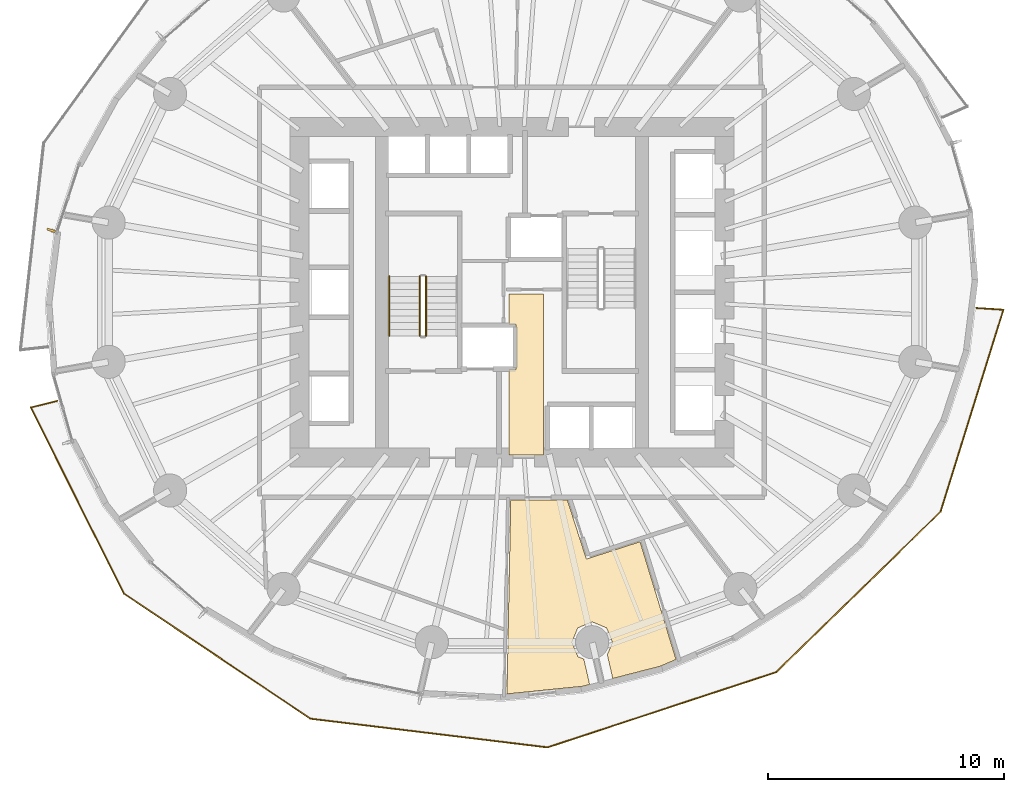
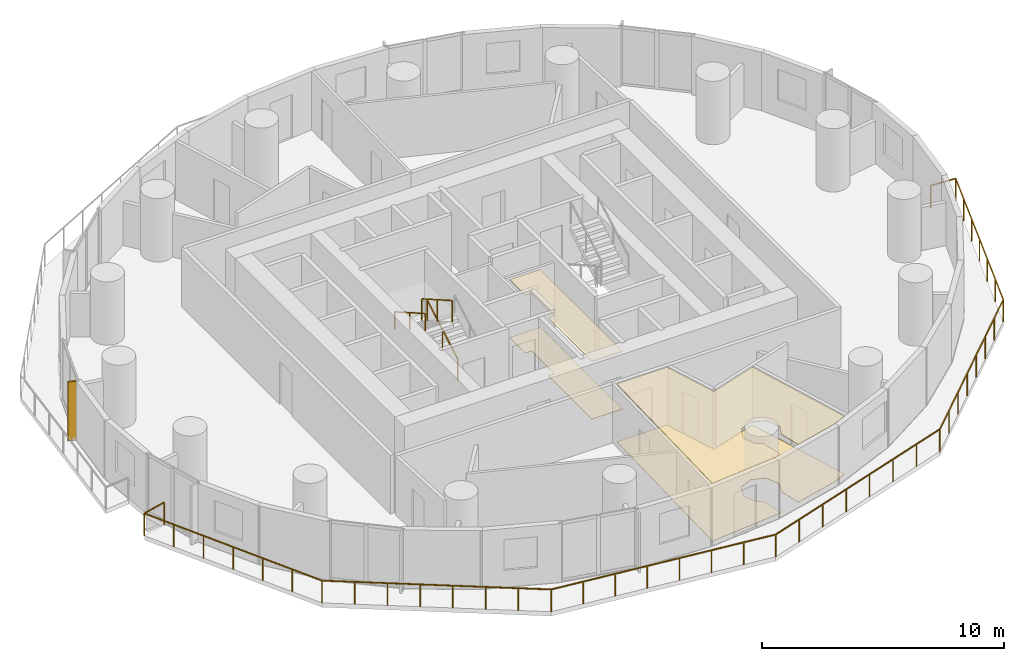
# One storey, part 12 of 14: 4 coverings, 4 railings, 1 shading device.
"""IFC4 building model written with IfcOpenShell, lengths in metres."""

from ifc_helpers import new_model, si_unit, direction, frame, origin, origin_2d, place, context, subcontext, project, spatial, polyline, rectangle, outline, extrude, material, layer, layer_set, type_object, element, save


model = new_model("IFC4")

# Units and contexts
model_context = context("Model", 3, precision=1e-05, world=origin(), true_north=direction((0.0, 1.0)))
body_context = subcontext(model_context, "Body", "Model", "MODEL_VIEW")
ifc_project = project(units=[si_unit("LENGTHUNIT", "METRE"), si_unit("AREAUNIT", "SQUARE_METRE"), si_unit("VOLUMEUNIT", "CUBIC_METRE"), si_unit("PLANEANGLEUNIT", "RADIAN"), si_unit("MASSUNIT", "GRAM", prefix="KILO")], contexts=[model_context])

# Site, building, storey
site_placement = place(None, origin())
site = spatial("IfcSite", under=ifc_project, at=site_placement, CompositionType="ELEMENT")
building_placement = place(site_placement, origin())
building = spatial("IfcBuilding", under=site, at=building_placement, Name="Veldorim Arch Residences", CompositionType="ELEMENT")
storey_placement = place(building_placement, frame((0.0, 0.0, 50.39990234375)))
storey = spatial("IfcBuildingStorey", under=building, at=storey_placement, Name="L14", CompositionType="ELEMENT", Elevation=50.39990234375)

# Railings
ifc_material_1 = material(Name="Aluminium", Category="aluminium")
railing_type_1 = type_object("IfcRailingType", Name="Balcony & Terrace Laminated Glass Balustrade 1150", PredefinedType="BALUSTRADE", material=ifc_material_1)
railing_1_placement = place(storey_placement, frame((12.75244140625, 19.40283203125, 0.0)))
element("IfcRailing", 1, at=railing_1_placement, inside=storey, type_object=railing_type_1, Name="L14 crescent balcony safety balustrade B", PredefinedType="BALUSTRADE", context=body_context, shape_type="SweptSolid", body=[
    extrude(rectangle(XDim=0.048095703125, YDim=0.048095703125, at=origin_2d()), frame((0.0, 0.0, 1.1259765625), z_axis=(-0.970590389113, -0.240736986276, 0.0), x_axis=(0.240736986276, -0.970590389113, 0.0)), (0.0, 0.0, 1.0), 1.150146484375),
    extrude(rectangle(XDim=0.048095703125, YDim=0.048095703125, at=origin_2d()), frame((-1.1162109375, -0.27685546875, 1.1259765625), z_axis=(0.447446279024, -0.8943108114, 0.0), x_axis=(0.8943108114, 0.447446279024, 0.0)), (0.0, 0.0, 1.0), 8.81298828125),
    extrude(rectangle(XDim=0.048095703125, YDim=0.048095703125, at=origin_2d()), frame((2.8271484375, -8.158447265625, 1.1259765625), z_axis=(0.830513368113, -0.556998694241, 0.0), x_axis=(0.556998694241, 0.830513368113, 0.0)), (0.0, 0.0, 1.0), 9.501708984375),
    extrude(rectangle(XDim=0.048095703125, YDim=0.048095703125, at=origin_2d()), frame((10.718505859375, -13.450927734375, 1.1259765625), z_axis=(0.992755717696, -0.120150260017, 0.0), x_axis=(0.120150260017, 0.992755717696, 0.0)), (0.0, 0.0, 1.0), 10.10498046875),
    extrude(rectangle(XDim=0.048095703125, YDim=0.048095703125, at=origin_2d()), frame((20.750244140625, -14.6650390625, 1.1259765625), z_axis=(0.949913820233, 0.31251197438, 0.0), x_axis=(-0.31251197438, 0.949913820233, 0.0)), (0.0, 0.0, 1.0), 10.197265625),
    extrude(rectangle(XDim=0.048095703125, YDim=0.048095703125, at=origin_2d()), frame((30.436767578125, -11.478271484375, 1.1259765625), z_axis=(0.715419152021, 0.69869552519, 0.0), x_axis=(-0.69869552519, 0.715419152021, 0.0)), (0.0, 0.0, 1.0), 9.7080078125),
    extrude(rectangle(XDim=0.048095703125, YDim=0.048095703125, at=origin_2d()), frame((37.382080078125, -4.6953125, 1.1259765625), z_axis=(0.297329905313, 0.954774804552, 0.0), x_axis=(-0.954774804552, 0.297329905313, 0.0)), (0.0, 0.0, 1.0), 8.959228515625),
    extrude(rectangle(XDim=0.048095703125, YDim=0.048095703125, at=origin_2d()), frame((40.0458984375, 3.858642578125, 1.1259765625), z_axis=(-0.997929266712, 0.064320903598, 0.0), x_axis=(-0.064320903598, -0.997929266712, 0.0)), (0.0, 0.0, 1.0), 1.150146484375),
    extrude(rectangle(XDim=0.0419921875, YDim=0.0419921875, at=origin_2d()), origin(), (0.0, 0.0, 1.0), 1.101806640625),
    extrude(rectangle(XDim=0.0419921875, YDim=0.0419921875, at=origin_2d()), frame((-1.1162109375, -0.27685546875, 0.0)), (0.0, 0.0, 1.0), 1.101806640625),
    extrude(rectangle(XDim=0.0419921875, YDim=0.0419921875, at=origin_2d()), frame((-0.458984375, -1.59033203125, 0.0)), (0.0, 0.0, 1.0), 1.101806640625),
    extrude(rectangle(XDim=0.0419921875, YDim=0.0419921875, at=origin_2d()), frame((0.1982421875, -2.904052734375, 0.0)), (0.0, 0.0, 1.0), 1.101806640625),
    extrude(rectangle(XDim=0.0419921875, YDim=0.0419921875, at=origin_2d()), frame((0.85546875, -4.2177734375, 0.0)), (0.0, 0.0, 1.0), 1.101806640625),
    extrude(rectangle(XDim=0.0419921875, YDim=0.0419921875, at=origin_2d()), frame((1.5126953125, -5.53125, 0.0)), (0.0, 0.0, 1.0), 1.101806640625),
    extrude(rectangle(XDim=0.0419921875, YDim=0.0419921875, at=origin_2d()), frame((2.169921875, -6.8447265625, 0.0)), (0.0, 0.0, 1.0), 1.101806640625),
    extrude(rectangle(XDim=0.0419921875, YDim=0.0419921875, at=origin_2d()), frame((2.8271484375, -8.158447265625, 0.0)), (0.0, 0.0, 1.0), 1.101806640625),
    extrude(rectangle(XDim=0.0419921875, YDim=0.0419921875, at=origin_2d()), frame((3.95458984375, -8.91455078125, 0.0)), (0.0, 0.0, 1.0), 1.101806640625),
    extrude(rectangle(XDim=0.0419921875, YDim=0.0419921875, at=origin_2d()), frame((5.081787109375, -9.670654296875, 0.0)), (0.0, 0.0, 1.0), 1.101806640625),
    extrude(rectangle(XDim=0.0419921875, YDim=0.0419921875, at=origin_2d()), frame((6.209228515625, -10.4267578125, 0.0)), (0.0, 0.0, 1.0), 1.101806640625),
    extrude(rectangle(XDim=0.0419921875, YDim=0.0419921875, at=origin_2d()), frame((7.33642578125, -11.1826171875, 0.0)), (0.0, 0.0, 1.0), 1.101806640625),
    extrude(rectangle(XDim=0.0419921875, YDim=0.0419921875, at=origin_2d()), frame((8.4638671875, -11.938720703125, 0.0)), (0.0, 0.0, 1.0), 1.101806640625),
    extrude(rectangle(XDim=0.0419921875, YDim=0.0419921875, at=origin_2d()), frame((9.591064453125, -12.69482421875, 0.0)), (0.0, 0.0, 1.0), 1.101806640625),
    extrude(rectangle(XDim=0.0419921875, YDim=0.0419921875, at=origin_2d()), frame((10.718505859375, -13.450927734375, 0.0)), (0.0, 0.0, 1.0), 1.101806640625),
    extrude(rectangle(XDim=0.0419921875, YDim=0.0419921875, at=origin_2d()), frame((12.151611328125, -13.624267578125, 0.0)), (0.0, 0.0, 1.0), 1.101806640625),
    extrude(rectangle(XDim=0.0419921875, YDim=0.0419921875, at=origin_2d()), frame((13.584716796875, -13.7978515625, 0.0)), (0.0, 0.0, 1.0), 1.101806640625),
    extrude(rectangle(XDim=0.0419921875, YDim=0.0419921875, at=origin_2d()), frame((15.017822265625, -13.97119140625, 0.0)), (0.0, 0.0, 1.0), 1.101806640625),
    extrude(rectangle(XDim=0.0419921875, YDim=0.0419921875, at=origin_2d()), frame((16.450927734375, -14.144775390625, 0.0)), (0.0, 0.0, 1.0), 1.101806640625),
    extrude(rectangle(XDim=0.0419921875, YDim=0.0419921875, at=origin_2d()), frame((17.884033203125, -14.318115234375, 0.0)), (0.0, 0.0, 1.0), 1.101806640625),
    extrude(rectangle(XDim=0.0419921875, YDim=0.0419921875, at=origin_2d()), frame((19.317138671875, -14.49169921875, 0.0)), (0.0, 0.0, 1.0), 1.101806640625),
    extrude(rectangle(XDim=0.0419921875, YDim=0.0419921875, at=origin_2d()), frame((20.750244140625, -14.6650390625, 0.0)), (0.0, 0.0, 1.0), 1.101806640625),
    extrude(rectangle(XDim=0.0419921875, YDim=0.0419921875, at=origin_2d()), frame((22.134033203125, -14.209716796875, 0.0)), (0.0, 0.0, 1.0), 1.101806640625),
    extrude(rectangle(XDim=0.0419921875, YDim=0.0419921875, at=origin_2d()), frame((23.517822265625, -13.754638671875, 0.0)), (0.0, 0.0, 1.0), 1.101806640625),
    extrude(rectangle(XDim=0.0419921875, YDim=0.0419921875, at=origin_2d()), frame((24.901611328125, -13.29931640625, 0.0)), (0.0, 0.0, 1.0), 1.101806640625),
    extrude(rectangle(XDim=0.0419921875, YDim=0.0419921875, at=origin_2d()), frame((26.285400390625, -12.843994140625, 0.0)), (0.0, 0.0, 1.0), 1.101806640625),
    extrude(rectangle(XDim=0.0419921875, YDim=0.0419921875, at=origin_2d()), frame((27.669189453125, -12.388671875, 0.0)), (0.0, 0.0, 1.0), 1.101806640625),
    extrude(rectangle(XDim=0.0419921875, YDim=0.0419921875, at=origin_2d()), frame((29.052978515625, -11.93359375, 0.0)), (0.0, 0.0, 1.0), 1.101806640625),
    extrude(rectangle(XDim=0.0419921875, YDim=0.0419921875, at=origin_2d()), frame((30.436767578125, -11.478271484375, 0.0)), (0.0, 0.0, 1.0), 1.101806640625),
    extrude(rectangle(XDim=0.0419921875, YDim=0.0419921875, at=origin_2d()), frame((31.428955078125, -10.50927734375, 0.0)), (0.0, 0.0, 1.0), 1.101806640625),
    extrude(rectangle(XDim=0.0419921875, YDim=0.0419921875, at=origin_2d()), frame((32.421142578125, -9.540283203125, 0.0)), (0.0, 0.0, 1.0), 1.101806640625),
    extrude(rectangle(XDim=0.0419921875, YDim=0.0419921875, at=origin_2d()), frame((33.413330078125, -8.5712890625, 0.0)), (0.0, 0.0, 1.0), 1.101806640625),
    extrude(rectangle(XDim=0.0419921875, YDim=0.0419921875, at=origin_2d()), frame((34.405517578125, -7.602294921875, 0.0)), (0.0, 0.0, 1.0), 1.101806640625),
    extrude(rectangle(XDim=0.0419921875, YDim=0.0419921875, at=origin_2d()), frame((35.397705078125, -6.63330078125, 0.0)), (0.0, 0.0, 1.0), 1.101806640625),
    extrude(rectangle(XDim=0.0419921875, YDim=0.0419921875, at=origin_2d()), frame((36.389892578125, -5.664306640625, 0.0)), (0.0, 0.0, 1.0), 1.101806640625),
    extrude(rectangle(XDim=0.0419921875, YDim=0.0419921875, at=origin_2d()), frame((37.382080078125, -4.6953125, 0.0)), (0.0, 0.0, 1.0), 1.101806640625),
    extrude(rectangle(XDim=0.0419921875, YDim=0.0419921875, at=origin_2d()), frame((37.826171875, -3.26953125, 0.0)), (0.0, 0.0, 1.0), 1.101806640625),
    extrude(rectangle(XDim=0.0419921875, YDim=0.0419921875, at=origin_2d()), frame((38.27001953125, -1.843994140625, 0.0)), (0.0, 0.0, 1.0), 1.101806640625),
    extrude(rectangle(XDim=0.0419921875, YDim=0.0419921875, at=origin_2d()), frame((38.7138671875, -0.41845703125, 0.0)), (0.0, 0.0, 1.0), 1.101806640625),
    extrude(rectangle(XDim=0.0419921875, YDim=0.0419921875, at=origin_2d()), frame((39.157958984375, 1.00732421875, 0.0)), (0.0, 0.0, 1.0), 1.101806640625),
    extrude(rectangle(XDim=0.0419921875, YDim=0.0419921875, at=origin_2d()), frame((39.60205078125, 2.43310546875, 0.0)), (0.0, 0.0, 1.0), 1.101806640625),
    extrude(rectangle(XDim=0.0419921875, YDim=0.0419921875, at=origin_2d()), frame((40.0458984375, 3.858642578125, 0.0)), (0.0, 0.0, 1.0), 1.101806640625),
    extrude(rectangle(XDim=0.0419921875, YDim=0.0419921875, at=origin_2d()), frame((38.898193359375, 3.9326171875, 0.0)), (0.0, 0.0, 1.0), 1.101806640625),
])
ifc_material_2 = material(Name="Steel S355", Category="steel")
railing_type_2 = type_object("IfcRailingType", Name="Galvanised Steel Stair Safety Guardrail 1100", PredefinedType="GUARDRAIL", material=ifc_material_2)
railing_2_placement = place(storey_placement, frame((28.360107421875, 22.14990234375, 0.16015625)))
element("IfcRailing", 2, at=railing_2_placement, inside=storey, type_object=railing_type_2, Name="L14 ST-1 stair guard 1", PredefinedType="GUARDRAIL", context=body_context, shape_type="SweptSolid", body=[
    extrude(rectangle(XDim=0.048095703125, YDim=0.048095703125, at=origin_2d()), frame((0.0, 0.0, 1.076171875), z_axis=(0.0, 0.868253494771, 0.496120820787), x_axis=(-1.0, 0.0, 0.0)), (0.0, 0.0, 1.0), 2.90234375),
    extrude(rectangle(XDim=0.0419921875, YDim=0.0419921875, at=origin_2d()), origin(), (0.0, 0.0, 1.0), 1.052001953125),
    extrude(rectangle(XDim=0.0419921875, YDim=0.0419921875, at=origin_2d()), frame((0.0, 1.260009765625, 0.719970703125)), (0.0, 0.0, 1.0), 1.052001953125),
    extrude(rectangle(XDim=0.0419921875, YDim=0.0419921875, at=origin_2d()), frame((0.0, 2.52001953125, 1.43994140625)), (0.0, 0.0, 1.0), 1.052001953125),
])
railing_3_placement = place(storey_placement, frame((28.10009765625, 24.669921875, 1.760009765625)))
element("IfcRailing", 3, at=railing_3_placement, inside=storey, type_object=railing_type_2, Name="L14 ST-1 stair guard 3", PredefinedType="GUARDRAIL", context=body_context, shape_type="SweptSolid", body=[
    extrude(rectangle(XDim=0.048095703125, YDim=0.048095703125, at=origin_2d()), frame((0.0, 0.0, 1.076171875), z_axis=(0.0, -0.868217259934, 0.496184229447), x_axis=(1.0, 0.0, 0.0)), (0.0, 0.0, 1.0), 2.902587890625),
    extrude(rectangle(XDim=0.0419921875, YDim=0.0419921875, at=origin_2d()), origin(), (0.0, 0.0, 1.0), 1.052001953125),
    extrude(rectangle(XDim=0.0419921875, YDim=0.0419921875, at=origin_2d()), frame((0.0, -1.260009765625, 0.72021484375)), (0.0, 0.0, 1.0), 1.052001953125),
    extrude(rectangle(XDim=0.0419921875, YDim=0.0419921875, at=origin_2d()), frame((0.0, -2.52001953125, 1.440185546875)), (0.0, 0.0, 1.0), 1.052001953125),
])

# Coverings
ifc_material_3 = material(Name="Acoustic Gypsum & Mineral Fibre", Category="gypsum")
ifc_layer_1 = layer(ifc_material_3, 0.034912109375, Name="Perforated Acoustic Mineral-Fibre Ceiling 35")
ifc_layer_set_1 = layer_set([ifc_layer_1], Name="Acoustic Gypsum & Mineral Fibre")
covering_type_1 = type_object("IfcCoveringType", Name="Perforated Acoustic Mineral-Fibre Ceiling 35", PredefinedType="CEILING", material=ifc_layer_set_1)
covering_1_placement = place(storey_placement, frame((0.0, 0.0, 2.905029296875)))
element("IfcCovering", 4, at=covering_1_placement, inside=storey, type_object=covering_type_1, Name="L14 acoustic suspended ceiling 01", PredefinedType="CEILING", context=body_context, shape_type="SweptSolid", body=[
    extrude(outline(polyline([(33.330078125, 23.929931640625), (33.330078125, 17.1201171875), (31.8701171875, 17.1201171875), (31.8701171875, 20.735107421875), (32.169921875, 20.735107421875), (32.169921875, 22.625), (31.8701171875, 22.625), (31.8701171875, 23.929931640625), (33.330078125, 23.929931640625)])), origin(), (0.0, 0.0, 1.0), 0.03515625),
])
covering_2_placement = place(storey_placement, frame((0.0, 0.0, 2.905029296875)))
element("IfcCovering", 5, at=covering_2_placement, inside=storey, type_object=covering_type_1, Name="L14 acoustic suspended ceiling 02", PredefinedType="CEILING", context=body_context, shape_type="SweptSolid", body=[
    extrude(outline(polyline([(36.25439453125, 9.190185546875), (36.002685546875, 9.798095703125), (35.39453125, 10.050048828125), (34.78662109375, 9.798095703125), (34.53466796875, 9.190185546875), (34.78662109375, 8.58203125), (35.039794921875, 8.47705078125), (35.28564453125, 7.40478515625), (34.96484375, 7.322265625), (31.787841796875, 7.003173828125), (31.947998046875, 15.199951171875), (34.34521484375, 15.199951171875), (35.1494140625, 12.709228515625), (37.42041015625, 13.4423828125), (38.942138671875, 8.4609375), (38.265625, 8.17138671875), (36.26416015625, 7.656494140625), (36.034423828125, 8.658935546875), (36.25439453125, 9.190185546875)])), origin(), (0.0, 0.0, 1.0), 0.03515625),
])
ifc_material_4 = material(Name="Porcelain Ceramic Tile", Category="ceramic")
ifc_layer_2 = layer(ifc_material_4, 0.02001953125, Name="Slip-Resistant Porcelain & Vinyl Floor Finish 20")
ifc_layer_set_2 = layer_set([ifc_layer_2], Name="Porcelain Ceramic Tile")
covering_type_2 = type_object("IfcCoveringType", Name="Slip-Resistant Porcelain & Vinyl Floor Finish 20", PredefinedType="FLOORING", material=ifc_layer_set_2)
covering_3_placement = place(storey_placement, origin())
element("IfcCovering", 6, at=covering_3_placement, inside=storey, type_object=covering_type_2, Name="L14 porcelain floor finish 01", PredefinedType="FLOORING", context=body_context, shape_type="SweptSolid", body=[
    extrude(outline(polyline([(33.330078125, 23.929931640625), (33.330078125, 17.1201171875), (31.8701171875, 17.1201171875), (31.8701171875, 20.735107421875), (32.169921875, 20.735107421875), (32.169921875, 22.625), (31.8701171875, 22.625), (31.8701171875, 23.929931640625), (33.330078125, 23.929931640625)])), origin(), (0.0, 0.0, 1.0), 0.02001953125),
])
covering_4_placement = place(storey_placement, origin())
element("IfcCovering", 7, at=covering_4_placement, inside=storey, type_object=covering_type_2, Name="L14 porcelain floor finish 02", PredefinedType="FLOORING", context=body_context, shape_type="SweptSolid", body=[
    extrude(outline(polyline([(36.25439453125, 9.190185546875), (36.002685546875, 9.798095703125), (35.39453125, 10.050048828125), (34.78662109375, 9.798095703125), (34.53466796875, 9.190185546875), (34.78662109375, 8.58203125), (35.039794921875, 8.47705078125), (35.28564453125, 7.40478515625), (34.96484375, 7.322265625), (31.787841796875, 7.003173828125), (31.947998046875, 15.199951171875), (34.34521484375, 15.199951171875), (35.1494140625, 12.709228515625), (37.42041015625, 13.4423828125), (38.942138671875, 8.4609375), (38.265625, 8.17138671875), (36.26416015625, 7.656494140625), (36.034423828125, 8.658935546875), (36.25439453125, 9.190185546875)])), origin(), (0.0, 0.0, 1.0), 0.02001953125),
])

# Railing
ifc_material_5 = material(Name="Stainless Steel", Category="steel")
railing_type_3 = type_object("IfcRailingType", Name="Tubular Steel Continuous Wall Handrail 900", PredefinedType="HANDRAIL", material=ifc_material_5)
railing_4_placement = place(storey_placement, frame((26.800048828125, 24.669921875, 1.760009765625)))
element("IfcRailing", 8, at=railing_4_placement, inside=storey, type_object=railing_type_3, Name="L14 ST-1 stair handrail 2", PredefinedType="HANDRAIL", context=body_context, shape_type="SweptSolid", body=[
    extrude(rectangle(XDim=0.048095703125, YDim=0.048095703125, at=origin_2d()), frame((0.0, 0.0, 0.8759765625), z_axis=(0.0, -0.868217259934, 0.496184229447), x_axis=(1.0, 0.0, 0.0)), (0.0, 0.0, 1.0), 2.902587890625),
    extrude(rectangle(XDim=0.0419921875, YDim=0.0419921875, at=origin_2d()), origin(), (0.0, 0.0, 1.0), 0.851806640625),
    extrude(rectangle(XDim=0.0419921875, YDim=0.0419921875, at=origin_2d()), frame((0.0, -1.260009765625, 0.72021484375)), (0.0, 0.0, 1.0), 0.851806640625),
    extrude(rectangle(XDim=0.0419921875, YDim=0.0419921875, at=origin_2d()), frame((0.0, -2.52001953125, 1.440185546875)), (0.0, 0.0, 1.0), 0.851806640625),
])

# Shading device
ifc_material_6 = material(Name="Terracotta Ceramic", Category="masonry")
ifc_layer_3 = layer(ifc_material_6, 0.090087890625, Name="Vertical Extruded Terracotta Baguette Sun-Shading Fin")
ifc_layer_set_3 = layer_set([ifc_layer_3], Name="Terracotta Ceramic")
shading_device_type = type_object("IfcShadingDeviceType", Name="Vertical Extruded Terracotta Baguette Sun-Shading Fin", PredefinedType="USERDEFINED", material=ifc_layer_set_3)
shading_device_placement = place(storey_placement, frame((12.497802734375, 26.6201171875, 0.0), z_axis=(0.0, 0.0, 1.0), x_axis=(0.311505792684, 0.950244253402, 0.0)))
element("IfcShadingDevice", 9, at=shading_device_placement, inside=storey, type_object=shading_device_type, Name="L14 vertical terracotta sun-shading fin 16", ObjectType="FIN", PredefinedType="USERDEFINED", context=body_context, shape_type="SweptSolid", body=[
    extrude(rectangle(XDim=0.090087890625, YDim=0.360107421875, at=origin_2d()), origin(), (0.0, 0.0, 1.0), 2.9599609375),
])

save(model, "model.ifc")
